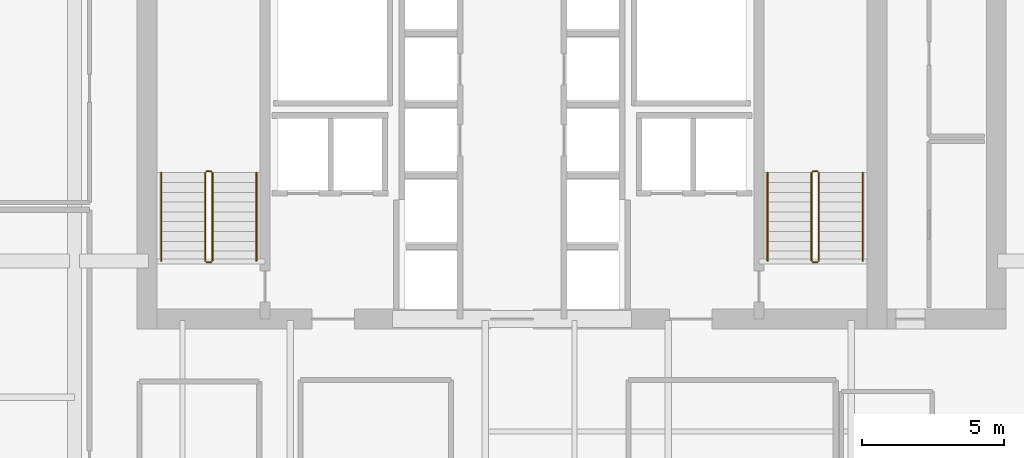
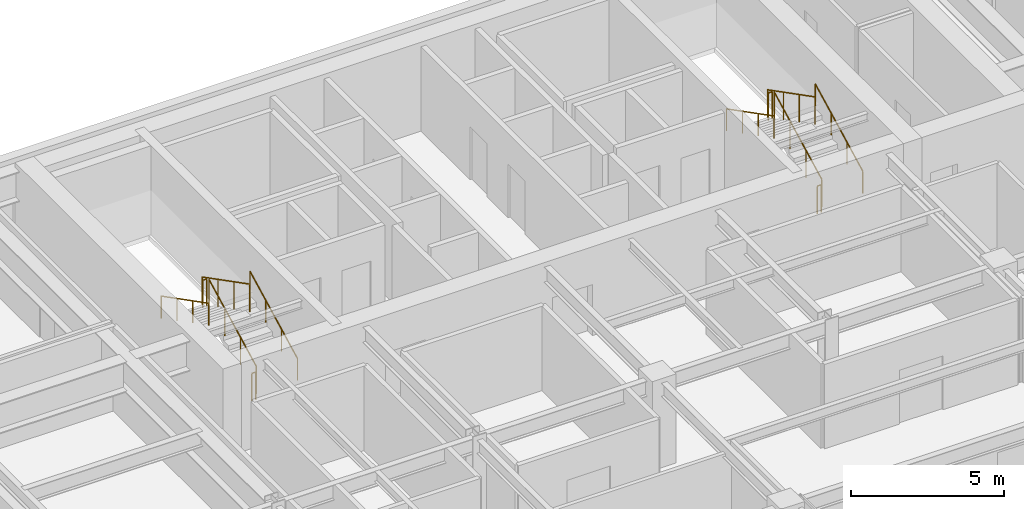
# One storey, part 17 of 17: 12 railings.
"""IFC4 building model written with IfcOpenShell, lengths in metres."""

from ifc_helpers import new_model, si_unit, direction, frame, origin, origin_2d, place, context, subcontext, project, spatial, circle, extrude, material, type_object, element, save


model = new_model("IFC4")

# Units and contexts
model_context = context("Model", 3, precision=1e-05, world=origin(), true_north=direction((0.0, 1.0)))
body_context = subcontext(model_context, "Body", "Model", "MODEL_VIEW")
ifc_project = project(units=[si_unit("LENGTHUNIT", "METRE"), si_unit("AREAUNIT", "SQUARE_METRE"), si_unit("VOLUMEUNIT", "CUBIC_METRE"), si_unit("PLANEANGLEUNIT", "RADIAN"), si_unit("MASSUNIT", "GRAM", prefix="KILO")], contexts=[model_context])

# Site, building, storey
site_placement = place(None, origin())
site = spatial("IfcSite", under=ifc_project, at=site_placement, CompositionType="ELEMENT")
building_placement = place(site_placement, origin())
building = spatial("IfcBuilding", under=site, at=building_placement, Name="Tolvann Quenvar Hotel", CompositionType="ELEMENT")
storey_placement = place(building_placement, frame((0.0, 0.0, 129.300048828125)))
storey = spatial("IfcBuildingStorey", under=building, at=storey_placement, Name="L33", CompositionType="ELEMENT", Elevation=129.300048828125)

# Railings
ifc_material = material(Name="Brushed 316 stainless steel balustrade and handrail", Category="steel")
railing_type_1 = type_object("IfcRailingType", Name="GUARDRAIL", PredefinedType="GUARDRAIL", material=ifc_material)
railing_1_placement = place(storey_placement, frame((12.449951171875, 34.0, 0.177490234375)))
element("IfcRailing", 1, at=railing_1_placement, inside=storey, type_object=railing_type_1, Name="L33 ST-C1 stair guard 1", PredefinedType="GUARDRAIL", context=body_context, shape_type="SweptSolid", body=[
    extrude(circle(Radius=0.02392578125, at=origin_2d()), frame((0.0, 0.0, 1.09619140625), z_axis=(0.0, 0.889221982265, 0.45747597342), x_axis=(-1.0, 0.0, 0.0)), (0.0, 0.0, 1.0), 3.49169921875),
    extrude(circle(Radius=0.02099609375, at=origin_2d()), origin(), (0.0, 0.0, 1.0), 1.072021484375),
    extrude(circle(Radius=0.02099609375, at=origin_2d()), frame((0.0, 1.034912109375, 0.532470703125)), (0.0, 0.0, 1.0), 1.072021484375),
    extrude(circle(Radius=0.02099609375, at=origin_2d()), frame((0.0, 2.070068359375, 1.06494140625)), (0.0, 0.0, 1.0), 1.072021484375),
    extrude(circle(Radius=0.02099609375, at=origin_2d()), frame((0.0, 3.10498046875, 1.597412109375)), (0.0, 0.0, 1.0), 1.072021484375),
])
railing_2_placement = place(storey_placement, frame((12.39990234375, 37.155029296875, 1.77490234375)))
element("IfcRailing", 2, at=railing_2_placement, inside=storey, type_object=railing_type_1, Name="L33 ST-C1 stair guard 2", PredefinedType="GUARDRAIL", context=body_context, shape_type="SweptSolid", body=[
    extrude(circle(Radius=0.02392578125, at=origin_2d()), frame((0.0, 0.0, 1.09619140625), z_axis=(-1.0, 0.0, 0.0), x_axis=(0.0, -1.0, 0.0)), (0.0, 0.0, 1.0), 0.14990234375),
    extrude(circle(Radius=0.02099609375, at=origin_2d()), origin(), (0.0, 0.0, 1.0), 1.072021484375),
    extrude(circle(Radius=0.02099609375, at=origin_2d()), frame((-0.14990234375, 0.0, 0.0)), (0.0, 0.0, 1.0), 1.072021484375),
])
railing_3_placement = place(storey_placement, frame((12.199951171875, 37.10498046875, 1.952392578125)))
element("IfcRailing", 3, at=railing_3_placement, inside=storey, type_object=railing_type_1, Name="L33 ST-C1 stair guard 3", PredefinedType="GUARDRAIL", context=body_context, shape_type="SweptSolid", body=[
    extrude(circle(Radius=0.02392578125, at=origin_2d()), frame((0.0, 0.0, 1.09619140625), z_axis=(0.0, -0.88919353882, 0.457531256332), x_axis=(1.0, 0.0, 0.0)), (0.0, 0.0, 1.0), 3.491943359375),
    extrude(circle(Radius=0.02099609375, at=origin_2d()), origin(), (0.0, 0.0, 1.0), 1.072021484375),
    extrude(circle(Radius=0.02099609375, at=origin_2d()), frame((0.0, -1.034912109375, 0.532470703125)), (0.0, 0.0, 1.0), 1.072021484375),
    extrude(circle(Radius=0.02099609375, at=origin_2d()), frame((0.0, -2.070068359375, 1.065185546875)), (0.0, 0.0, 1.0), 1.072021484375),
    extrude(circle(Radius=0.02099609375, at=origin_2d()), frame((0.0, -3.10498046875, 1.59765625)), (0.0, 0.0, 1.0), 1.072021484375),
])
railing_4_placement = place(storey_placement, frame((12.39990234375, 33.949951171875, 0.0)))
element("IfcRailing", 4, at=railing_4_placement, inside=storey, type_object=railing_type_1, Name="L33 ST-C1 stair guard 4", PredefinedType="GUARDRAIL", context=body_context, shape_type="SweptSolid", body=[
    extrude(circle(Radius=0.02392578125, at=origin_2d()), frame((0.0, 0.0, 1.09619140625), z_axis=(-1.0, 0.0, 0.0), x_axis=(0.0, -1.0, 0.0)), (0.0, 0.0, 1.0), 0.14990234375),
    extrude(circle(Radius=0.02099609375, at=origin_2d()), origin(), (0.0, 0.0, 1.0), 1.072021484375),
    extrude(circle(Radius=0.02099609375, at=origin_2d()), frame((-0.14990234375, 0.0, 0.0)), (0.0, 0.0, 1.0), 1.072021484375),
])
railing_5_placement = place(storey_placement, frame((33.800048828125, 34.0, 0.177490234375)))
element("IfcRailing", 5, at=railing_5_placement, inside=storey, type_object=railing_type_1, Name="L33 ST-C2 stair guard 1", PredefinedType="GUARDRAIL", context=body_context, shape_type="SweptSolid", body=[
    extrude(circle(Radius=0.02392578125, at=origin_2d()), frame((0.0, 0.0, 1.09619140625), z_axis=(0.0, 0.889221982265, 0.45747597342), x_axis=(-1.0, 0.0, 0.0)), (0.0, 0.0, 1.0), 3.49169921875),
    extrude(circle(Radius=0.02099609375, at=origin_2d()), origin(), (0.0, 0.0, 1.0), 1.072021484375),
    extrude(circle(Radius=0.02099609375, at=origin_2d()), frame((0.0, 1.034912109375, 0.532470703125)), (0.0, 0.0, 1.0), 1.072021484375),
    extrude(circle(Radius=0.02099609375, at=origin_2d()), frame((0.0, 2.070068359375, 1.06494140625)), (0.0, 0.0, 1.0), 1.072021484375),
    extrude(circle(Radius=0.02099609375, at=origin_2d()), frame((0.0, 3.10498046875, 1.597412109375)), (0.0, 0.0, 1.0), 1.072021484375),
])
railing_6_placement = place(storey_placement, frame((33.75, 37.155029296875, 1.77490234375)))
element("IfcRailing", 6, at=railing_6_placement, inside=storey, type_object=railing_type_1, Name="L33 ST-C2 stair guard 2", PredefinedType="GUARDRAIL", context=body_context, shape_type="SweptSolid", body=[
    extrude(circle(Radius=0.02392578125, at=origin_2d()), frame((0.0, 0.0, 1.09619140625), z_axis=(-1.0, 0.0, 0.0), x_axis=(0.0, -1.0, 0.0)), (0.0, 0.0, 1.0), 0.14990234375),
    extrude(circle(Radius=0.02099609375, at=origin_2d()), origin(), (0.0, 0.0, 1.0), 1.072021484375),
    extrude(circle(Radius=0.02099609375, at=origin_2d()), frame((-0.14990234375, 0.0, 0.0)), (0.0, 0.0, 1.0), 1.072021484375),
])
railing_7_placement = place(storey_placement, frame((33.550048828125, 37.10498046875, 1.952392578125)))
element("IfcRailing", 7, at=railing_7_placement, inside=storey, type_object=railing_type_1, Name="L33 ST-C2 stair guard 3", PredefinedType="GUARDRAIL", context=body_context, shape_type="SweptSolid", body=[
    extrude(circle(Radius=0.02392578125, at=origin_2d()), frame((0.0, 0.0, 1.09619140625), z_axis=(0.0, -0.88919353882, 0.457531256332), x_axis=(1.0, 0.0, 0.0)), (0.0, 0.0, 1.0), 3.491943359375),
    extrude(circle(Radius=0.02099609375, at=origin_2d()), origin(), (0.0, 0.0, 1.0), 1.072021484375),
    extrude(circle(Radius=0.02099609375, at=origin_2d()), frame((0.0, -1.034912109375, 0.532470703125)), (0.0, 0.0, 1.0), 1.072021484375),
    extrude(circle(Radius=0.02099609375, at=origin_2d()), frame((0.0, -2.070068359375, 1.065185546875)), (0.0, 0.0, 1.0), 1.072021484375),
    extrude(circle(Radius=0.02099609375, at=origin_2d()), frame((0.0, -3.10498046875, 1.59765625)), (0.0, 0.0, 1.0), 1.072021484375),
])
railing_8_placement = place(storey_placement, frame((33.75, 33.949951171875, 0.0)))
element("IfcRailing", 8, at=railing_8_placement, inside=storey, type_object=railing_type_1, Name="L33 ST-C2 stair guard 4", PredefinedType="GUARDRAIL", context=body_context, shape_type="SweptSolid", body=[
    extrude(circle(Radius=0.02392578125, at=origin_2d()), frame((0.0, 0.0, 1.09619140625), z_axis=(-1.0, 0.0, 0.0), x_axis=(0.0, -1.0, 0.0)), (0.0, 0.0, 1.0), 0.14990234375),
    extrude(circle(Radius=0.02099609375, at=origin_2d()), origin(), (0.0, 0.0, 1.0), 1.072021484375),
    extrude(circle(Radius=0.02099609375, at=origin_2d()), frame((-0.14990234375, 0.0, 0.0)), (0.0, 0.0, 1.0), 1.072021484375),
])
railing_type_2 = type_object("IfcRailingType", Name="HANDRAIL", PredefinedType="HANDRAIL", material=ifc_material)
railing_9_placement = place(storey_placement, frame((14.0, 34.0, 0.177490234375)))
element("IfcRailing", 9, at=railing_9_placement, inside=storey, type_object=railing_type_2, Name="L33 ST-C1 stair handrail 1", PredefinedType="HANDRAIL", context=body_context, shape_type="SweptSolid", body=[
    extrude(circle(Radius=0.02392578125, at=origin_2d()), frame((0.0, 0.0, 0.8759765625), z_axis=(0.0, 0.889221982265, 0.45747597342), x_axis=(-1.0, 0.0, 0.0)), (0.0, 0.0, 1.0), 3.49169921875),
    extrude(circle(Radius=0.02099609375, at=origin_2d()), origin(), (0.0, 0.0, 1.0), 0.851806640625),
    extrude(circle(Radius=0.02099609375, at=origin_2d()), frame((0.0, 1.034912109375, 0.532470703125)), (0.0, 0.0, 1.0), 0.851806640625),
    extrude(circle(Radius=0.02099609375, at=origin_2d()), frame((0.0, 2.070068359375, 1.06494140625)), (0.0, 0.0, 1.0), 0.851806640625),
    extrude(circle(Radius=0.02099609375, at=origin_2d()), frame((0.0, 3.10498046875, 1.597412109375)), (0.0, 0.0, 1.0), 0.851806640625),
])
railing_10_placement = place(storey_placement, frame((10.64990234375, 37.10498046875, 1.952392578125)))
element("IfcRailing", 10, at=railing_10_placement, inside=storey, type_object=railing_type_2, Name="L33 ST-C1 stair handrail 2", PredefinedType="HANDRAIL", context=body_context, shape_type="SweptSolid", body=[
    extrude(circle(Radius=0.02392578125, at=origin_2d()), frame((0.0, 0.0, 0.8759765625), z_axis=(0.0, -0.88919353882, 0.457531256332), x_axis=(1.0, 0.0, 0.0)), (0.0, 0.0, 1.0), 3.491943359375),
    extrude(circle(Radius=0.02099609375, at=origin_2d()), origin(), (0.0, 0.0, 1.0), 0.851806640625),
    extrude(circle(Radius=0.02099609375, at=origin_2d()), frame((0.0, -1.034912109375, 0.532470703125)), (0.0, 0.0, 1.0), 0.851806640625),
    extrude(circle(Radius=0.02099609375, at=origin_2d()), frame((0.0, -2.070068359375, 1.065185546875)), (0.0, 0.0, 1.0), 0.851806640625),
    extrude(circle(Radius=0.02099609375, at=origin_2d()), frame((0.0, -3.10498046875, 1.59765625)), (0.0, 0.0, 1.0), 0.851806640625),
])
railing_11_placement = place(storey_placement, frame((35.35009765625, 34.0, 0.177490234375)))
element("IfcRailing", 11, at=railing_11_placement, inside=storey, type_object=railing_type_2, Name="L33 ST-C2 stair handrail 1", PredefinedType="HANDRAIL", context=body_context, shape_type="SweptSolid", body=[
    extrude(circle(Radius=0.02392578125, at=origin_2d()), frame((0.0, 0.0, 0.8759765625), z_axis=(0.0, 0.889221982265, 0.45747597342), x_axis=(-1.0, 0.0, 0.0)), (0.0, 0.0, 1.0), 3.49169921875),
    extrude(circle(Radius=0.02099609375, at=origin_2d()), origin(), (0.0, 0.0, 1.0), 0.851806640625),
    extrude(circle(Radius=0.02099609375, at=origin_2d()), frame((0.0, 1.034912109375, 0.532470703125)), (0.0, 0.0, 1.0), 0.851806640625),
    extrude(circle(Radius=0.02099609375, at=origin_2d()), frame((0.0, 2.070068359375, 1.06494140625)), (0.0, 0.0, 1.0), 0.851806640625),
    extrude(circle(Radius=0.02099609375, at=origin_2d()), frame((0.0, 3.10498046875, 1.597412109375)), (0.0, 0.0, 1.0), 0.851806640625),
])
railing_12_placement = place(storey_placement, frame((32.0, 37.10498046875, 1.952392578125)))
element("IfcRailing", 12, at=railing_12_placement, inside=storey, type_object=railing_type_2, Name="L33 ST-C2 stair handrail 2", PredefinedType="HANDRAIL", context=body_context, shape_type="SweptSolid", body=[
    extrude(circle(Radius=0.02392578125, at=origin_2d()), frame((0.0, 0.0, 0.8759765625), z_axis=(0.0, -0.88919353882, 0.457531256332), x_axis=(1.0, 0.0, 0.0)), (0.0, 0.0, 1.0), 3.491943359375),
    extrude(circle(Radius=0.02099609375, at=origin_2d()), origin(), (0.0, 0.0, 1.0), 0.851806640625),
    extrude(circle(Radius=0.02099609375, at=origin_2d()), frame((0.0, -1.034912109375, 0.532470703125)), (0.0, 0.0, 1.0), 0.851806640625),
    extrude(circle(Radius=0.02099609375, at=origin_2d()), frame((0.0, -2.070068359375, 1.065185546875)), (0.0, 0.0, 1.0), 0.851806640625),
    extrude(circle(Radius=0.02099609375, at=origin_2d()), frame((0.0, -3.10498046875, 1.59765625)), (0.0, 0.0, 1.0), 0.851806640625),
])

save(model, "model.ifc")
